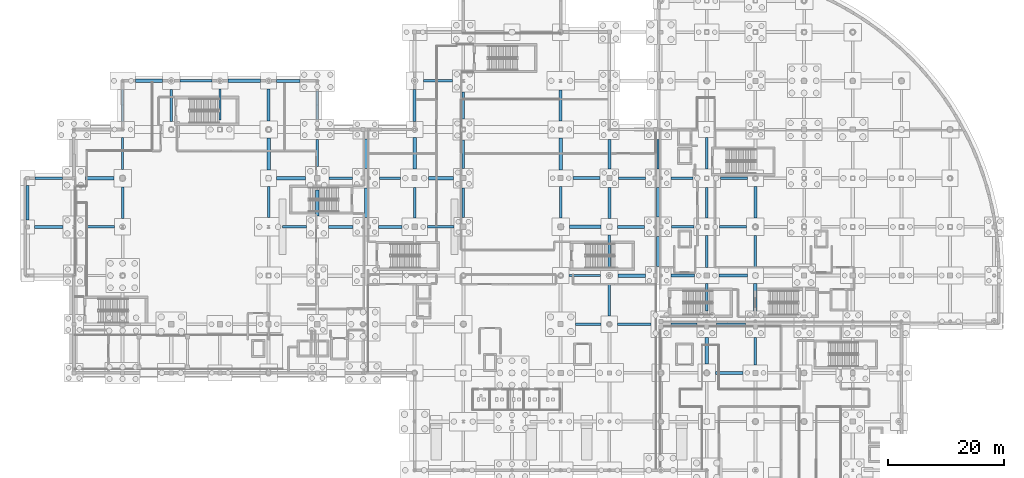
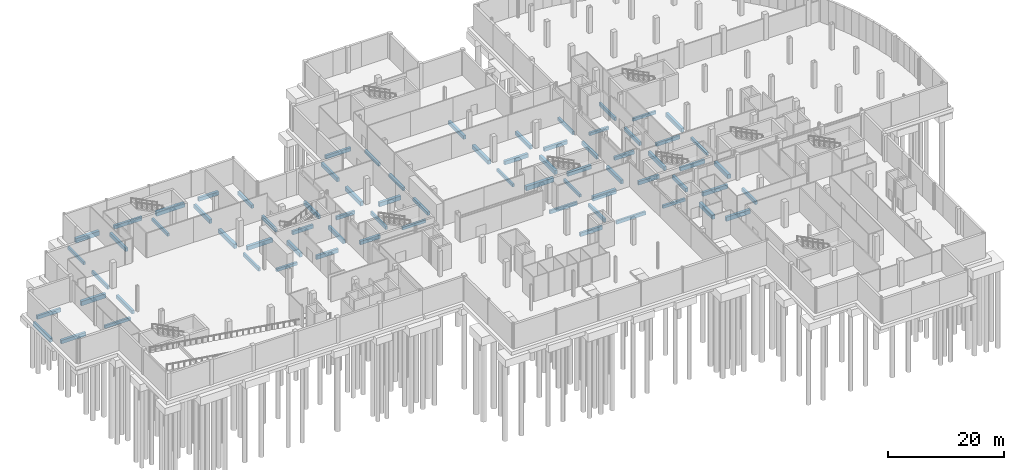
# One storey, part 22 of 49: 73 beams.
"""IFC4 building model written with IfcOpenShell, lengths in metres."""

from ifc_helpers import new_model, si_unit, direction, frame, origin, origin_2d, place, context, subcontext, project, spatial, rectangle, extrude, material, material_profile, profile_set, type_object, element, save


model = new_model("IFC4")

# Units and contexts
model_context = context("Model", 3, precision=1e-05, world=origin(), true_north=direction((0.0, 1.0)))
body_context = subcontext(model_context, "Body", "Model", "MODEL_VIEW")
ifc_project = project(units=[si_unit("LENGTHUNIT", "METRE"), si_unit("AREAUNIT", "SQUARE_METRE"), si_unit("VOLUMEUNIT", "CUBIC_METRE"), si_unit("PLANEANGLEUNIT", "RADIAN"), si_unit("MASSUNIT", "GRAM", prefix="KILO"), si_unit("THERMODYNAMICTEMPERATUREUNIT", "KELVIN")], contexts=[model_context])

# Site, building, storey
site_placement = place(None, origin())
site = spatial("IfcSite", under=ifc_project, at=site_placement, CompositionType="ELEMENT")
building_placement = place(site_placement, origin())
building = spatial("IfcBuilding", under=site, at=building_placement, Name="Lustrewick Department Store", CompositionType="ELEMENT")
storey_placement = place(building_placement, frame((0.0, 0.0, -5.39990234375)))
storey = spatial("IfcBuildingStorey", under=building, at=storey_placement, Name="B1", CompositionType="ELEMENT", Elevation=-5.39990234375)

# Beams
ifc_material = material(Name="Concrete C40", Category="concrete")
ifc_material_profile_1 = material_profile(ifc_material, rectangle(XDim=0.60009765625, YDim=0.89990234375, at=origin_2d()), Name="RC 600x900")
ifc_profile_set_1 = profile_set([ifc_material_profile_1], Name="Concrete C40")
beam_type_1 = type_object("IfcBeamType", Name="GB01", PredefinedType="BEAM", material=ifc_profile_set_1)
beam_1_placement = place(storey_placement, frame((10.39990234375, 75.60009765625, -1.150146484375), z_axis=(1.0, 0.0, 0.0), x_axis=(0.0, 1.0, 0.0)))
element("IfcBeam", 1, at=beam_1_placement, inside=storey, type_object=beam_type_1, Name="Ground Tie Beam GB01 0009", PredefinedType="BEAM", context=body_context, shape_type="SweptSolid", body=[
    extrude(rectangle(XDim=0.60009765625, YDim=0.89990234375, at=origin_2d()), origin(), (0.0, 0.0, 1.0), 4.900146484375),
])
beam_2_placement = place(storey_placement, frame((19.0, 92.39990234375, -1.150146484375), z_axis=(1.0, 0.0, 0.0), x_axis=(0.0, 1.0, 0.0)))
element("IfcBeam", 2, at=beam_2_placement, inside=storey, type_object=beam_type_1, Name="Ground Tie Beam GB01 0017", PredefinedType="BEAM", context=body_context, shape_type="SweptSolid", body=[
    extrude(rectangle(XDim=0.60009765625, YDim=0.89990234375, at=origin_2d()), origin(), (0.0, 0.0, 1.0), 4.699951171875),
])
beam_3_placement = place(storey_placement, frame((35.0, 92.39990234375, -1.150146484375), z_axis=(1.0, 0.0, 0.0), x_axis=(0.0, 1.0, 0.0)))
element("IfcBeam", 3, at=beam_3_placement, inside=storey, type_object=beam_type_1, Name="Ground Tie Beam GB01 0025", PredefinedType="BEAM", context=body_context, shape_type="SweptSolid", body=[
    extrude(rectangle(XDim=0.60009765625, YDim=0.89990234375, at=origin_2d()), origin(), (0.0, 0.0, 1.0), 5.60009765625),
])
beam_4_placement = place(storey_placement, frame((42.0, 77.0, -1.150146484375), z_axis=(0.0, 1.0, 0.0), x_axis=(-1.0, 0.0, 0.0)))
element("IfcBeam", 4, at=beam_4_placement, inside=storey, type_object=beam_type_1, Name="Ground Tie Beam GB01 0033", PredefinedType="BEAM", context=body_context, shape_type="SweptSolid", body=[
    extrude(rectangle(XDim=0.60009765625, YDim=0.89990234375, at=origin_2d()), origin(), (0.0, 0.0, 1.0), 5.5),
])
beam_5_placement = place(storey_placement, frame((67.199951171875, 77.199951171875, -1.150146484375), z_axis=(0.0, 1.0, 0.0), x_axis=(-1.0, 0.0, 0.0)))
element("IfcBeam", 5, at=beam_5_placement, inside=storey, type_object=beam_type_1, Name="Ground Tie Beam GB01 0065", PredefinedType="BEAM", context=body_context, shape_type="SweptSolid", body=[
    extrude(rectangle(XDim=0.60009765625, YDim=0.89990234375, at=origin_2d()), origin(), (0.0, 0.0, 1.0), 5.400146484375),
])
beam_6_placement = place(storey_placement, frame((93.89990234375, 67.199951171875, -1.150146484375), z_axis=(1.0, 0.0, 0.0), x_axis=(0.0, 1.0, 0.0)))
element("IfcBeam", 6, at=beam_6_placement, inside=storey, type_object=beam_type_1, Name="Ground Tie Beam GB01 0097", PredefinedType="BEAM", context=body_context, shape_type="SweptSolid", body=[
    extrude(rectangle(XDim=0.60009765625, YDim=0.89990234375, at=origin_2d()), origin(), (0.0, 0.0, 1.0), 5.5),
])
beam_7_placement = place(storey_placement, frame((102.300048828125, 58.800048828125, -1.150146484375), z_axis=(1.0, 0.0, 0.0), x_axis=(0.0, 1.0, 0.0)))
element("IfcBeam", 7, at=beam_7_placement, inside=storey, type_object=beam_type_1, Name="Ground Tie Beam GB01 0113", PredefinedType="BEAM", context=body_context, shape_type="SweptSolid", body=[
    extrude(rectangle(XDim=0.60009765625, YDim=0.89990234375, at=origin_2d()), origin(), (0.0, 0.0, 1.0), 4.699951171875),
])
beam_8_placement = place(storey_placement, frame((117.60009765625, 43.5, -1.150146484375), z_axis=(0.0, 1.0, 0.0), x_axis=(-1.0, 0.0, 0.0)))
element("IfcBeam", 8, at=beam_8_placement, inside=storey, type_object=beam_type_1, Name="Ground Tie Beam GB01 0145", PredefinedType="BEAM", context=body_context, shape_type="SweptSolid", body=[
    extrude(rectangle(XDim=0.60009765625, YDim=0.89990234375, at=origin_2d()), origin(), (0.0, 0.0, 1.0), 4.60009765625),
])
beam_9_placement = place(storey_placement, frame((126.0, 52.699951171875, -1.150146484375), z_axis=(0.0, 1.0, 0.0), x_axis=(-1.0, 0.0, 0.0)))
element("IfcBeam", 9, at=beam_9_placement, inside=storey, type_object=beam_type_1, Name="Ground Tie Beam GB01 0161", PredefinedType="BEAM", context=body_context, shape_type="SweptSolid", body=[
    extrude(rectangle(XDim=0.60009765625, YDim=0.89990234375, at=origin_2d()), origin(), (0.0, 0.0, 1.0), 4.699951171875),
])
ifc_material_profile_2 = material_profile(ifc_material, rectangle(XDim=0.550048828125, YDim=0.85009765625, at=origin_2d()), Name="RC 550x850")
ifc_profile_set_2 = profile_set([ifc_material_profile_2], Name="Concrete C40")
beam_type_2 = type_object("IfcBeamType", Name="GB02", PredefinedType="BEAM", material=ifc_profile_set_2)
beam_10_placement = place(storey_placement, frame((43.39990234375, 75.60009765625, -1.125), z_axis=(1.0, 0.0, 0.0), x_axis=(0.0, 1.0, 0.0)))
element("IfcBeam", 10, at=beam_10_placement, inside=storey, type_object=beam_type_2, Name="Ground Tie Beam GB02 0034", PredefinedType="BEAM", context=body_context, shape_type="SweptSolid", body=[
    extrude(rectangle(XDim=0.550048828125, YDim=0.85009765625, at=origin_2d()), origin(), (0.0, 0.0, 1.0), 5.0),
])
beam_11_placement = place(storey_placement, frame((50.39990234375, 69.10009765625, -1.125), z_axis=(0.0, 1.0, 0.0), x_axis=(-1.0, 0.0, 0.0)))
element("IfcBeam", 11, at=beam_11_placement, inside=storey, type_object=beam_type_2, Name="Ground Tie Beam GB02 0042", PredefinedType="BEAM", context=body_context, shape_type="SweptSolid", body=[
    extrude(rectangle(XDim=0.550048828125, YDim=0.85009765625, at=origin_2d()), origin(), (0.0, 0.0, 1.0), 4.5),
])
beam_12_placement = place(storey_placement, frame((69.60009765625, 75.60009765625, -1.125), z_axis=(1.0, 0.0, 0.0), x_axis=(0.0, 1.0, 0.0)))
element("IfcBeam", 12, at=beam_12_placement, inside=storey, type_object=beam_type_2, Name="Ground Tie Beam GB02 0066", PredefinedType="BEAM", context=body_context, shape_type="SweptSolid", body=[
    extrude(rectangle(XDim=0.550048828125, YDim=0.85009765625, at=origin_2d()), origin(), (0.0, 0.0, 1.0), 4.2998046875),
])
beam_13_placement = place(storey_placement, frame((92.39990234375, 77.0, -1.125), z_axis=(0.0, 1.0, 0.0), x_axis=(-1.0, 0.0, 0.0)))
element("IfcBeam", 13, at=beam_13_placement, inside=storey, type_object=beam_type_2, Name="Ground Tie Beam GB02 0098", PredefinedType="BEAM", context=body_context, shape_type="SweptSolid", body=[
    extrude(rectangle(XDim=0.550048828125, YDim=0.85009765625, at=origin_2d()), origin(), (0.0, 0.0, 1.0), 5.5),
])
beam_14_placement = place(storey_placement, frame((100.800048828125, 68.60009765625, -1.125), z_axis=(0.0, 1.0, 0.0), x_axis=(-1.0, 0.0, 0.0)))
element("IfcBeam", 14, at=beam_14_placement, inside=storey, type_object=beam_type_2, Name="Ground Tie Beam GB02 0114", PredefinedType="BEAM", context=body_context, shape_type="SweptSolid", body=[
    extrude(rectangle(XDim=0.550048828125, YDim=0.85009765625, at=origin_2d()), origin(), (0.0, 0.0, 1.0), 5.39990234375),
])
beam_15_placement = place(storey_placement, frame((119.10009765625, 42.0, -1.125), z_axis=(1.0, 0.0, 0.0), x_axis=(0.0, 1.0, 0.0)))
element("IfcBeam", 15, at=beam_15_placement, inside=storey, type_object=beam_type_2, Name="Ground Tie Beam GB02 0146", PredefinedType="BEAM", context=body_context, shape_type="SweptSolid", body=[
    extrude(rectangle(XDim=0.550048828125, YDim=0.85009765625, at=origin_2d()), origin(), (0.0, 0.0, 1.0), 4.7998046875),
])
beam_16_placement = place(storey_placement, frame((126.0, 68.699951171875, -1.125), z_axis=(0.0, 1.0, 0.0), x_axis=(-1.0, 0.0, 0.0)))
element("IfcBeam", 16, at=beam_16_placement, inside=storey, type_object=beam_type_2, Name="Ground Tie Beam GB02 0210", PredefinedType="BEAM", context=body_context, shape_type="SweptSolid", body=[
    extrude(rectangle(XDim=0.550048828125, YDim=0.85009765625, at=origin_2d()), origin(), (0.0, 0.0, 1.0), 5.5),
])
ifc_material_profile_3 = material_profile(ifc_material, rectangle(XDim=0.5, YDim=0.800048828125, at=origin_2d()), Name="RC 500x800")
ifc_profile_set_3 = profile_set([ifc_material_profile_3], Name="Concrete C40")
beam_type_3 = type_object("IfcBeamType", Name="GB03", PredefinedType="BEAM", material=ifc_profile_set_3)
beam_17_placement = place(storey_placement, frame((0.39990234375, 68.39990234375, -1.10009765625), z_axis=(0.0, 1.0, 0.0), x_axis=(-1.0, 0.0, 0.0)))
element("IfcBeam", 17, at=beam_17_placement, inside=storey, type_object=beam_type_3, Name="Ground Tie Beam GB03 0003", PredefinedType="BEAM", context=body_context, shape_type="SweptSolid", body=[
    extrude(rectangle(XDim=0.5, YDim=0.800048828125, at=origin_2d()), origin(), (0.0, 0.0, 1.0), 5.900146484375),
])
beam_18_placement = place(storey_placement, frame((42.0, 85.5, -1.10009765625), z_axis=(0.0, 1.0, 0.0), x_axis=(-1.0, 0.0, 0.0)))
element("IfcBeam", 18, at=beam_18_placement, inside=storey, type_object=beam_type_3, Name="Ground Tie Beam GB03 0035", PredefinedType="BEAM", context=body_context, shape_type="SweptSolid", body=[
    extrude(rectangle(XDim=0.5, YDim=0.800048828125, at=origin_2d()), origin(), (0.0, 0.0, 1.0), 5.5),
])
beam_19_placement = place(storey_placement, frame((52.300048828125, 67.199951171875, -1.10009765625), z_axis=(1.0, 0.0, 0.0), x_axis=(0.0, 1.0, 0.0)))
element("IfcBeam", 19, at=beam_19_placement, inside=storey, type_object=beam_type_3, Name="Ground Tie Beam GB03 0043", PredefinedType="BEAM", context=body_context, shape_type="SweptSolid", body=[
    extrude(rectangle(XDim=0.5, YDim=0.800048828125, at=origin_2d()), origin(), (0.0, 0.0, 1.0), 4.300048828125),
])
beam_20_placement = place(storey_placement, frame((58.800048828125, 68.800048828125, -1.10009765625), z_axis=(0.0, 1.0, 0.0), x_axis=(-1.0, 0.0, 0.0)))
element("IfcBeam", 20, at=beam_20_placement, inside=storey, type_object=beam_type_3, Name="Ground Tie Beam GB03 0051", PredefinedType="BEAM", context=body_context, shape_type="SweptSolid", body=[
    extrude(rectangle(XDim=0.5, YDim=0.800048828125, at=origin_2d()), origin(), (0.0, 0.0, 1.0), 5.099853515625),
])
beam_21_placement = place(storey_placement, frame((67.199951171875, 85.39990234375, -1.10009765625), z_axis=(0.0, 1.0, 0.0), x_axis=(-1.0, 0.0, 0.0)))
element("IfcBeam", 21, at=beam_21_placement, inside=storey, type_object=beam_type_3, Name="Ground Tie Beam GB03 0067", PredefinedType="BEAM", context=body_context, shape_type="SweptSolid", body=[
    extrude(rectangle(XDim=0.5, YDim=0.800048828125, at=origin_2d()), origin(), (0.0, 0.0, 1.0), 5.5),
])
for number, where, z_axis, x_axis, name in (
    (22, (94.5, 75.60009765625, -1.10009765625), (1.0, 0.0, 0.0), (0.0, 1.0, 0.0), "Ground Tie Beam GB03 0099"),
    (23, (102.199951171875, 67.199951171875, -1.10009765625), (1.0, 0.0, 0.0), (0.0, 1.0, 0.0), "Ground Tie Beam GB03 0115"),
):
    element("IfcBeam", number, at=place(storey_placement, frame(where, z_axis=z_axis, x_axis=x_axis)), inside=storey, type_object=beam_type_3, Name=name, PredefinedType="BEAM", context=body_context, shape_type="SweptSolid", body=[
        extrude(rectangle(XDim=0.5, YDim=0.800048828125, at=origin_2d()), origin(), (0.0, 0.0, 1.0), 4.699951171875),
    ])
beam_22_placement = place(storey_placement, frame((109.199951171875, 60.39990234375, -1.10009765625), z_axis=(0.0, 1.0, 0.0), x_axis=(-1.0, 0.0, 0.0)))
element("IfcBeam", 24, at=beam_22_placement, inside=storey, type_object=beam_type_3, Name="Ground Tie Beam GB03 0123", PredefinedType="BEAM", context=body_context, shape_type="SweptSolid", body=[
    extrude(rectangle(XDim=0.5, YDim=0.800048828125, at=origin_2d()), origin(), (0.0, 0.0, 1.0), 5.10009765625),
])
beam_23_placement = place(storey_placement, frame((119.300048828125, 50.39990234375, -1.10009765625), z_axis=(1.0, 0.0, 0.0), x_axis=(0.0, 1.0, 0.0)))
element("IfcBeam", 25, at=beam_23_placement, inside=storey, type_object=beam_type_3, Name="Ground Tie Beam GB03 0147", PredefinedType="BEAM", context=body_context, shape_type="SweptSolid", body=[
    extrude(rectangle(XDim=0.5, YDim=0.800048828125, at=origin_2d()), origin(), (0.0, 0.0, 1.0), 5.0),
])
beam_24_placement = place(storey_placement, frame((117.60009765625, 60.199951171875, -1.10009765625), z_axis=(0.0, 1.0, 0.0), x_axis=(-1.0, 0.0, 0.0)))
element("IfcBeam", 26, at=beam_24_placement, inside=storey, type_object=beam_type_3, Name="Ground Tie Beam GB03 0195", PredefinedType="BEAM", context=body_context, shape_type="SweptSolid", body=[
    extrude(rectangle(XDim=0.5, YDim=0.800048828125, at=origin_2d()), origin(), (0.0, 0.0, 1.0), 5.5),
])
ifc_material_profile_4 = material_profile(ifc_material, rectangle(XDim=0.5, YDim=0.75, at=origin_2d()), Name="RC 500x750")
ifc_profile_set_4 = profile_set([ifc_material_profile_4], Name="Concrete C40")
beam_type_4 = type_object("IfcBeamType", Name="GB04", PredefinedType="BEAM", material=ifc_profile_set_4)
beam_25_placement = place(storey_placement, frame((1.60009765625, 67.199951171875, -1.0751953125), z_axis=(1.0, 0.0, 0.0), x_axis=(0.0, 1.0, 0.0)))
element("IfcBeam", 27, at=beam_25_placement, inside=storey, type_object=beam_type_4, Name="Ground Tie Beam GB04 0004", PredefinedType="BEAM", context=body_context, shape_type="SweptSolid", body=[
    extrude(rectangle(XDim=0.5, YDim=0.75, at=origin_2d()), origin(), (0.0, 0.0, 1.0), 4.89990234375),
])
beam_26_placement = place(storey_placement, frame((25.199951171875, 85.39990234375, -1.0751953125), z_axis=(0.0, 1.0, 0.0), x_axis=(-1.0, 0.0, 0.0)))
element("IfcBeam", 28, at=beam_26_placement, inside=storey, type_object=beam_type_4, Name="Ground Tie Beam GB04 0020", PredefinedType="BEAM", context=body_context, shape_type="SweptSolid", body=[
    extrude(rectangle(XDim=0.5, YDim=0.75, at=origin_2d()), origin(), (0.0, 0.0, 1.0), 5.5),
])
beam_27_placement = place(storey_placement, frame((43.39990234375, 92.39990234375, -1.0751953125), z_axis=(1.0, 0.0, 0.0), x_axis=(0.0, 1.0, 0.0)))
element("IfcBeam", 29, at=beam_27_placement, inside=storey, type_object=beam_type_4, Name="Ground Tie Beam GB04 0036", PredefinedType="BEAM", context=body_context, shape_type="SweptSolid", body=[
    extrude(rectangle(XDim=0.5, YDim=0.75, at=origin_2d()), origin(), (0.0, 0.0, 1.0), 4.0),
])
beam_28_placement = place(storey_placement, frame((50.39990234375, 77.60009765625, -1.0751953125), z_axis=(0.0, 1.0, 0.0), x_axis=(-1.0, 0.0, 0.0)))
element("IfcBeam", 30, at=beam_28_placement, inside=storey, type_object=beam_type_4, Name="Ground Tie Beam GB04 0044", PredefinedType="BEAM", context=body_context, shape_type="SweptSolid", body=[
    extrude(rectangle(XDim=0.5, YDim=0.75, at=origin_2d()), origin(), (0.0, 0.0, 1.0), 4.699951171875),
])
beam_29_placement = place(storey_placement, frame((61.0, 67.199951171875, -1.0751953125), z_axis=(1.0, 0.0, 0.0), x_axis=(0.0, 1.0, 0.0)))
element("IfcBeam", 31, at=beam_29_placement, inside=storey, type_object=beam_type_4, Name="Ground Tie Beam GB04 0052", PredefinedType="BEAM", context=body_context, shape_type="SweptSolid", body=[
    extrude(rectangle(XDim=0.5, YDim=0.75, at=origin_2d()), origin(), (0.0, 0.0, 1.0), 4.0),
])
beam_30_placement = place(storey_placement, frame((92.39990234375, 85.5, -1.0751953125), z_axis=(0.0, 1.0, 0.0), x_axis=(-1.0, 0.0, 0.0)))
element("IfcBeam", 32, at=beam_30_placement, inside=storey, type_object=beam_type_4, Name="Ground Tie Beam GB04 0100", PredefinedType="BEAM", context=body_context, shape_type="SweptSolid", body=[
    extrude(rectangle(XDim=0.5, YDim=0.75, at=origin_2d()), origin(), (0.0, 0.0, 1.0), 5.300048828125),
])
beam_31_placement = place(storey_placement, frame((100.800048828125, 77.199951171875, -1.0751953125), z_axis=(0.0, 1.0, 0.0), x_axis=(-1.0, 0.0, 0.0)))
element("IfcBeam", 33, at=beam_31_placement, inside=storey, type_object=beam_type_4, Name="Ground Tie Beam GB04 0116", PredefinedType="BEAM", context=body_context, shape_type="SweptSolid", body=[
    extrude(rectangle(XDim=0.5, YDim=0.75, at=origin_2d()), origin(), (0.0, 0.0, 1.0), 5.10009765625),
])
beam_32_placement = place(storey_placement, frame((111.39990234375, 58.800048828125, -1.0751953125), z_axis=(1.0, 0.0, 0.0), x_axis=(0.0, 1.0, 0.0)))
element("IfcBeam", 34, at=beam_32_placement, inside=storey, type_object=beam_type_4, Name="Ground Tie Beam GB04 0124", PredefinedType="BEAM", context=body_context, shape_type="SweptSolid", body=[
    extrude(rectangle(XDim=0.5, YDim=0.75, at=origin_2d()), origin(), (0.0, 0.0, 1.0), 4.10009765625),
])
beam_33_placement = place(storey_placement, frame((117.60009765625, 52.699951171875, -1.0751953125), z_axis=(0.0, 1.0, 0.0), x_axis=(-1.0, 0.0, 0.0)))
element("IfcBeam", 35, at=beam_33_placement, inside=storey, type_object=beam_type_4, Name="Ground Tie Beam GB04 0148", PredefinedType="BEAM", context=body_context, shape_type="SweptSolid", body=[
    extrude(rectangle(XDim=0.5, YDim=0.75, at=origin_2d()), origin(), (0.0, 0.0, 1.0), 4.699951171875),
])
beam_34_placement = place(storey_placement, frame((119.699951171875, 58.800048828125, -1.0751953125), z_axis=(1.0, 0.0, 0.0), x_axis=(0.0, 1.0, 0.0)))
element("IfcBeam", 36, at=beam_34_placement, inside=storey, type_object=beam_type_4, Name="Ground Tie Beam GB04 0196", PredefinedType="BEAM", context=body_context, shape_type="SweptSolid", body=[
    extrude(rectangle(XDim=0.5, YDim=0.75, at=origin_2d()), origin(), (0.0, 0.0, 1.0), 4.900146484375),
])
ifc_material_profile_5 = material_profile(ifc_material, rectangle(XDim=0.449951171875, YDim=0.75, at=origin_2d()), Name="RC 450x750")
ifc_profile_set_5 = profile_set([ifc_material_profile_5], Name="Concrete C40")
beam_type_5 = type_object("IfcBeamType", Name="GB05", PredefinedType="BEAM", material=ifc_profile_set_5)
beam_35_placement = place(storey_placement, frame((1.699951171875, 75.60009765625, -1.0751953125), z_axis=(1.0, 0.0, 0.0), x_axis=(0.0, 1.0, 0.0)))
element("IfcBeam", 37, at=beam_35_placement, inside=storey, type_object=beam_type_5, Name="Ground Tie Beam GB05 0005", PredefinedType="BEAM", context=body_context, shape_type="SweptSolid", body=[
    extrude(rectangle(XDim=0.449951171875, YDim=0.75, at=origin_2d()), origin(), (0.0, 0.0, 1.0), 4.699951171875),
])
beam_36_placement = place(storey_placement, frame((26.699951171875, 92.39990234375, -1.0751953125), z_axis=(1.0, 0.0, 0.0), x_axis=(0.0, 1.0, 0.0)))
element("IfcBeam", 38, at=beam_36_placement, inside=storey, type_object=beam_type_5, Name="Ground Tie Beam GB05 0021", PredefinedType="BEAM", context=body_context, shape_type="SweptSolid", body=[
    extrude(rectangle(XDim=0.449951171875, YDim=0.75, at=origin_2d()), origin(), (0.0, 0.0, 1.0), 5.5),
])
beam_37_placement = place(storey_placement, frame((52.39990234375, 75.60009765625, -1.0751953125), z_axis=(1.0, 0.0, 0.0), x_axis=(0.0, 1.0, 0.0)))
element("IfcBeam", 39, at=beam_37_placement, inside=storey, type_object=beam_type_5, Name="Ground Tie Beam GB05 0045", PredefinedType="BEAM", context=body_context, shape_type="SweptSolid", body=[
    extrude(rectangle(XDim=0.449951171875, YDim=0.75, at=origin_2d()), origin(), (0.0, 0.0, 1.0), 4.10009765625),
])
beam_38_placement = place(storey_placement, frame((58.800048828125, 77.300048828125, -1.0751953125), z_axis=(0.0, 1.0, 0.0), x_axis=(-1.0, 0.0, 0.0)))
element("IfcBeam", 40, at=beam_38_placement, inside=storey, type_object=beam_type_5, Name="Ground Tie Beam GB05 0053", PredefinedType="BEAM", context=body_context, shape_type="SweptSolid", body=[
    extrude(rectangle(XDim=0.449951171875, YDim=0.75, at=origin_2d()), origin(), (0.0, 0.0, 1.0), 5.099853515625),
])
beam_39_placement = place(storey_placement, frame((68.699951171875, 92.39990234375, -1.0751953125), z_axis=(1.0, 0.0, 0.0), x_axis=(0.0, 1.0, 0.0)))
element("IfcBeam", 41, at=beam_39_placement, inside=storey, type_object=beam_type_5, Name="Ground Tie Beam GB05 0069", PredefinedType="BEAM", context=body_context, shape_type="SweptSolid", body=[
    extrude(rectangle(XDim=0.449951171875, YDim=0.75, at=origin_2d()), origin(), (0.0, 0.0, 1.0), 5.0),
])
beam_40_placement = place(storey_placement, frame((75.60009765625, 68.800048828125, -1.0751953125), z_axis=(0.0, 1.0, 0.0), x_axis=(-1.0, 0.0, 0.0)))
element("IfcBeam", 42, at=beam_40_placement, inside=storey, type_object=beam_type_5, Name="Ground Tie Beam GB05 0077", PredefinedType="BEAM", context=body_context, shape_type="SweptSolid", body=[
    extrude(rectangle(XDim=0.449951171875, YDim=0.75, at=origin_2d()), origin(), (0.0, 0.0, 1.0), 5.099853515625),
])
beam_41_placement = place(storey_placement, frame((95.0, 50.39990234375, -1.0751953125), z_axis=(1.0, 0.0, 0.0), x_axis=(0.0, 1.0, 0.0)))
element("IfcBeam", 43, at=beam_41_placement, inside=storey, type_object=beam_type_5, Name="Ground Tie Beam GB05 0093", PredefinedType="BEAM", context=body_context, shape_type="SweptSolid", body=[
    extrude(rectangle(XDim=0.449951171875, YDim=0.75, at=origin_2d()), origin(), (0.0, 0.0, 1.0), 4.39990234375),
])
beam_42_placement = place(storey_placement, frame((102.39990234375, 75.60009765625, -1.0751953125), z_axis=(1.0, 0.0, 0.0), x_axis=(0.0, 1.0, 0.0)))
element("IfcBeam", 44, at=beam_42_placement, inside=storey, type_object=beam_type_5, Name="Ground Tie Beam GB05 0117", PredefinedType="BEAM", context=body_context, shape_type="SweptSolid", body=[
    extrude(rectangle(XDim=0.449951171875, YDim=0.75, at=origin_2d()), origin(), (0.0, 0.0, 1.0), 4.60009765625),
])
beam_43_placement = place(storey_placement, frame((109.199951171875, 68.89990234375, -1.0751953125), z_axis=(0.0, 1.0, 0.0), x_axis=(-1.0, 0.0, 0.0)))
element("IfcBeam", 45, at=beam_43_placement, inside=storey, type_object=beam_type_5, Name="Ground Tie Beam GB05 0125", PredefinedType="BEAM", context=body_context, shape_type="SweptSolid", body=[
    extrude(rectangle(XDim=0.449951171875, YDim=0.75, at=origin_2d()), origin(), (0.0, 0.0, 1.0), 5.10009765625),
])
beam_44_placement = place(storey_placement, frame((117.60009765625, 68.699951171875, -1.0751953125), z_axis=(0.0, 1.0, 0.0), x_axis=(-1.0, 0.0, 0.0)))
element("IfcBeam", 46, at=beam_44_placement, inside=storey, type_object=beam_type_5, Name="Ground Tie Beam GB05 0197", PredefinedType="BEAM", context=body_context, shape_type="SweptSolid", body=[
    extrude(rectangle(XDim=0.449951171875, YDim=0.75, at=origin_2d()), origin(), (0.0, 0.0, 1.0), 5.300048828125),
])
ifc_material_profile_6 = material_profile(ifc_material, rectangle(XDim=0.449951171875, YDim=0.699951171875, at=origin_2d()), Name="RC 450x700")
ifc_profile_set_6 = profile_set([ifc_material_profile_6], Name="Concrete C40")
beam_type_6 = type_object("IfcBeamType", Name="GB06", PredefinedType="BEAM", material=ifc_profile_set_6)
beam_45_placement = place(storey_placement, frame((16.800048828125, 68.60009765625, -1.050048828125), z_axis=(0.0, 1.0, 0.0), x_axis=(-1.0, 0.0, 0.0)))
element("IfcBeam", 47, at=beam_45_placement, inside=storey, type_object=beam_type_6, Name="Ground Tie Beam GB06 0014", PredefinedType="BEAM", context=body_context, shape_type="SweptSolid", body=[
    extrude(rectangle(XDim=0.449951171875, YDim=0.699951171875, at=origin_2d()), origin(), (0.0, 0.0, 1.0), 5.5),
])
beam_46_placement = place(storey_placement, frame((50.39990234375, 85.699951171875, -1.050048828125), z_axis=(0.0, 1.0, 0.0), x_axis=(-1.0, 0.0, 0.0)))
element("IfcBeam", 48, at=beam_46_placement, inside=storey, type_object=beam_type_6, Name="Ground Tie Beam GB06 0046", PredefinedType="BEAM", context=body_context, shape_type="SweptSolid", body=[
    extrude(rectangle(XDim=0.449951171875, YDim=0.699951171875, at=origin_2d()), origin(), (0.0, 0.0, 1.0), 4.900146484375),
])
beam_47_placement = place(storey_placement, frame((61.10009765625, 75.60009765625, -1.050048828125), z_axis=(1.0, 0.0, 0.0), x_axis=(0.0, 1.0, 0.0)))
element("IfcBeam", 49, at=beam_47_placement, inside=storey, type_object=beam_type_6, Name="Ground Tie Beam GB06 0054", PredefinedType="BEAM", context=body_context, shape_type="SweptSolid", body=[
    extrude(rectangle(XDim=0.449951171875, YDim=0.699951171875, at=origin_2d()), origin(), (0.0, 0.0, 1.0), 3.699951171875),
])
beam_48_placement = place(storey_placement, frame((75.60009765625, 77.300048828125, -1.050048828125), z_axis=(0.0, 1.0, 0.0), x_axis=(-1.0, 0.0, 0.0)))
element("IfcBeam", 50, at=beam_48_placement, inside=storey, type_object=beam_type_6, Name="Ground Tie Beam GB06 0078", PredefinedType="BEAM", context=body_context, shape_type="SweptSolid", body=[
    extrude(rectangle(XDim=0.449951171875, YDim=0.699951171875, at=origin_2d()), origin(), (0.0, 0.0, 1.0), 4.89990234375),
])
beam_49_placement = place(storey_placement, frame((100.800048828125, 51.800048828125, -1.050048828125), z_axis=(0.0, 1.0, 0.0), x_axis=(-1.0, 0.0, 0.0)))
element("IfcBeam", 51, at=beam_49_placement, inside=storey, type_object=beam_type_6, Name="Ground Tie Beam GB06 0110", PredefinedType="BEAM", context=body_context, shape_type="SweptSolid", body=[
    extrude(rectangle(XDim=0.449951171875, YDim=0.699951171875, at=origin_2d()), origin(), (0.0, 0.0, 1.0), 5.5),
])
beam_50_placement = place(storey_placement, frame((111.5, 67.199951171875, -1.050048828125), z_axis=(1.0, 0.0, 0.0), x_axis=(0.0, 1.0, 0.0)))
element("IfcBeam", 52, at=beam_50_placement, inside=storey, type_object=beam_type_6, Name="Ground Tie Beam GB06 0126", PredefinedType="BEAM", context=body_context, shape_type="SweptSolid", body=[
    extrude(rectangle(XDim=0.449951171875, YDim=0.699951171875, at=origin_2d()), origin(), (0.0, 0.0, 1.0), 3.89990234375),
])
beam_51_placement = place(storey_placement, frame((126.0, 43.39990234375, -1.050048828125), z_axis=(0.0, 1.0, 0.0), x_axis=(-1.0, 0.0, 0.0)))
element("IfcBeam", 53, at=beam_51_placement, inside=storey, type_object=beam_type_6, Name="Ground Tie Beam GB06 0158", PredefinedType="BEAM", context=body_context, shape_type="SweptSolid", body=[
    extrude(rectangle(XDim=0.449951171875, YDim=0.699951171875, at=origin_2d()), origin(), (0.0, 0.0, 1.0), 4.7001953125),
])
beam_52_placement = place(storey_placement, frame((119.800048828125, 67.199951171875, -1.050048828125), z_axis=(1.0, 0.0, 0.0), x_axis=(0.0, 1.0, 0.0)))
element("IfcBeam", 54, at=beam_52_placement, inside=storey, type_object=beam_type_6, Name="Ground Tie Beam GB06 0198", PredefinedType="BEAM", context=body_context, shape_type="SweptSolid", body=[
    extrude(rectangle(XDim=0.449951171875, YDim=0.699951171875, at=origin_2d()), origin(), (0.0, 0.0, 1.0), 4.699951171875),
])
ifc_material_profile_7 = material_profile(ifc_material, rectangle(XDim=0.39990234375, YDim=0.699951171875, at=origin_2d()), Name="RC 400x700")
ifc_profile_set_7 = profile_set([ifc_material_profile_7], Name="Concrete C40")
beam_type_7 = type_object("IfcBeamType", Name="GB07", PredefinedType="BEAM", material=ifc_profile_set_7)
beam_53_placement = place(storey_placement, frame((16.800048828125, 77.10009765625, -1.050048828125), z_axis=(0.0, 1.0, 0.0), x_axis=(-1.0, 0.0, 0.0)))
element("IfcBeam", 55, at=beam_53_placement, inside=storey, type_object=beam_type_7, Name="Ground Tie Beam GB07 0015", PredefinedType="BEAM", context=body_context, shape_type="SweptSolid", body=[
    extrude(rectangle(XDim=0.39990234375, YDim=0.699951171875, at=origin_2d()), origin(), (0.0, 0.0, 1.0), 5.5),
])
beam_54_placement = place(storey_placement, frame((42.0, 68.800048828125, -1.050048828125), z_axis=(0.0, 1.0, 0.0), x_axis=(-1.0, 0.0, 0.0)))
element("IfcBeam", 56, at=beam_54_placement, inside=storey, type_object=beam_type_7, Name="Ground Tie Beam GB07 0031", PredefinedType="BEAM", context=body_context, shape_type="SweptSolid", body=[
    extrude(rectangle(XDim=0.39990234375, YDim=0.699951171875, at=origin_2d()), origin(), (0.0, 0.0, 1.0), 5.39990234375),
])
beam_55_placement = place(storey_placement, frame((67.199951171875, 68.699951171875, -1.050048828125), z_axis=(0.0, 1.0, 0.0), x_axis=(-1.0, 0.0, 0.0)))
element("IfcBeam", 57, at=beam_55_placement, inside=storey, type_object=beam_type_7, Name="Ground Tie Beam GB07 0063", PredefinedType="BEAM", context=body_context, shape_type="SweptSolid", body=[
    extrude(rectangle(XDim=0.39990234375, YDim=0.699951171875, at=origin_2d()), origin(), (0.0, 0.0, 1.0), 5.300048828125),
])
beam_56_placement = place(storey_placement, frame((75.60009765625, 85.800048828125, -1.050048828125), z_axis=(0.0, 1.0, 0.0), x_axis=(-1.0, 0.0, 0.0)))
element("IfcBeam", 58, at=beam_56_placement, inside=storey, type_object=beam_type_7, Name="Ground Tie Beam GB07 0079", PredefinedType="BEAM", context=body_context, shape_type="SweptSolid", body=[
    extrude(rectangle(XDim=0.39990234375, YDim=0.699951171875, at=origin_2d()), origin(), (0.0, 0.0, 1.0), 4.699951171875),
])
beam_57_placement = place(storey_placement, frame((93.800048828125, 58.800048828125, -1.050048828125), z_axis=(1.0, 0.0, 0.0), x_axis=(0.0, 1.0, 0.0)))
element("IfcBeam", 59, at=beam_57_placement, inside=storey, type_object=beam_type_7, Name="Ground Tie Beam GB07 0095", PredefinedType="BEAM", context=body_context, shape_type="SweptSolid", body=[
    extrude(rectangle(XDim=0.39990234375, YDim=0.699951171875, at=origin_2d()), origin(), (0.0, 0.0, 1.0), 5.5),
])
beam_58_placement = place(storey_placement, frame((102.199951171875, 50.39990234375, -1.050048828125), z_axis=(1.0, 0.0, 0.0), x_axis=(0.0, 1.0, 0.0)))
element("IfcBeam", 60, at=beam_58_placement, inside=storey, type_object=beam_type_7, Name="Ground Tie Beam GB07 0111", PredefinedType="BEAM", context=body_context, shape_type="SweptSolid", body=[
    extrude(rectangle(XDim=0.39990234375, YDim=0.699951171875, at=origin_2d()), origin(), (0.0, 0.0, 1.0), 5.800048828125),
])
beam_59_placement = place(storey_placement, frame((109.199951171875, 77.199951171875, -1.050048828125), z_axis=(0.0, 1.0, 0.0), x_axis=(-1.0, 0.0, 0.0)))
element("IfcBeam", 61, at=beam_59_placement, inside=storey, type_object=beam_type_7, Name="Ground Tie Beam GB07 0127", PredefinedType="BEAM", context=body_context, shape_type="SweptSolid", body=[
    extrude(rectangle(XDim=0.39990234375, YDim=0.699951171875, at=origin_2d()), origin(), (0.0, 0.0, 1.0), 5.10009765625),
])
beam_60_placement = place(storey_placement, frame((117.60009765625, 77.199951171875, -1.050048828125), z_axis=(0.0, 1.0, 0.0), x_axis=(-1.0, 0.0, 0.0)))
element("IfcBeam", 62, at=beam_60_placement, inside=storey, type_object=beam_type_7, Name="Ground Tie Beam GB07 0199", PredefinedType="BEAM", context=body_context, shape_type="SweptSolid", body=[
    extrude(rectangle(XDim=0.39990234375, YDim=0.699951171875, at=origin_2d()), origin(), (0.0, 0.0, 1.0), 5.400146484375),
])
ifc_material_profile_8 = material_profile(ifc_material, rectangle(XDim=0.39990234375, YDim=0.60009765625, at=origin_2d()), Name="RC 400x600")
ifc_profile_set_8 = profile_set([ifc_material_profile_8], Name="Concrete C40")
beam_type_8 = type_object("IfcBeamType", Name="GB08", PredefinedType="BEAM", material=ifc_profile_set_8)
beam_61_placement = place(storey_placement, frame((10.300048828125, 67.199951171875, -1.0), z_axis=(1.0, 0.0, 0.0), x_axis=(0.0, 1.0, 0.0)))
element("IfcBeam", 63, at=beam_61_placement, inside=storey, type_object=beam_type_8, Name="Ground Tie Beam GB08 0008", PredefinedType="BEAM", context=body_context, shape_type="SweptSolid", body=[
    extrude(rectangle(XDim=0.39990234375, YDim=0.60009765625, at=origin_2d()), origin(), (0.0, 0.0, 1.0), 5.099853515625),
])
beam_62_placement = place(storey_placement, frame((16.800048828125, 85.39990234375, -1.0), z_axis=(0.0, 1.0, 0.0), x_axis=(-1.0, 0.0, 0.0)))
element("IfcBeam", 64, at=beam_62_placement, inside=storey, type_object=beam_type_8, Name="Ground Tie Beam GB08 0016", PredefinedType="BEAM", context=body_context, shape_type="SweptSolid", body=[
    extrude(rectangle(XDim=0.39990234375, YDim=0.60009765625, at=origin_2d()), origin(), (0.0, 0.0, 1.0), 5.5),
])
beam_63_placement = place(storey_placement, frame((33.60009765625, 85.60009765625, -1.0), z_axis=(0.0, 1.0, 0.0), x_axis=(-1.0, 0.0, 0.0)))
element("IfcBeam", 65, at=beam_63_placement, inside=storey, type_object=beam_type_8, Name="Ground Tie Beam GB08 0024", PredefinedType="BEAM", context=body_context, shape_type="SweptSolid", body=[
    extrude(rectangle(XDim=0.39990234375, YDim=0.60009765625, at=origin_2d()), origin(), (0.0, 0.0, 1.0), 5.39990234375),
])
beam_64_placement = place(storey_placement, frame((44.39990234375, 67.199951171875, -1.0), z_axis=(1.0, 0.0, 0.0), x_axis=(0.0, 1.0, 0.0)))
element("IfcBeam", 66, at=beam_64_placement, inside=storey, type_object=beam_type_8, Name="Ground Tie Beam GB08 0032", PredefinedType="BEAM", context=body_context, shape_type="SweptSolid", body=[
    extrude(rectangle(XDim=0.39990234375, YDim=0.60009765625, at=origin_2d()), origin(), (0.0, 0.0, 1.0), 4.10009765625),
])
beam_65_placement = place(storey_placement, frame((69.39990234375, 67.199951171875, -1.0), z_axis=(1.0, 0.0, 0.0), x_axis=(0.0, 1.0, 0.0)))
element("IfcBeam", 67, at=beam_65_placement, inside=storey, type_object=beam_type_8, Name="Ground Tie Beam GB08 0064", PredefinedType="BEAM", context=body_context, shape_type="SweptSolid", body=[
    extrude(rectangle(XDim=0.39990234375, YDim=0.60009765625, at=origin_2d()), origin(), (0.0, 0.0, 1.0), 4.60009765625),
])
for number, where, z_axis, x_axis, name in (
    (68, (92.39990234375, 68.699951171875, -1.0), (0.0, 1.0, 0.0), (-1.0, 0.0, 0.0), "Ground Tie Beam GB08 0096"),
    (69, (100.800048828125, 60.300048828125, -1.0), (0.0, 1.0, 0.0), (-1.0, 0.0, 0.0), "Ground Tie Beam GB08 0112"),
):
    element("IfcBeam", number, at=place(storey_placement, frame(where, z_axis=z_axis, x_axis=x_axis)), inside=storey, type_object=beam_type_8, Name=name, PredefinedType="BEAM", context=body_context, shape_type="SweptSolid", body=[
        extrude(rectangle(XDim=0.39990234375, YDim=0.60009765625, at=origin_2d()), origin(), (0.0, 0.0, 1.0), 5.5),
    ])
beam_66_placement = place(storey_placement, frame((111.39990234375, 75.60009765625, -1.0), z_axis=(1.0, 0.0, 0.0), x_axis=(0.0, 1.0, 0.0)))
element("IfcBeam", 70, at=beam_66_placement, inside=storey, type_object=beam_type_8, Name="Ground Tie Beam GB08 0128", PredefinedType="BEAM", context=body_context, shape_type="SweptSolid", body=[
    extrude(rectangle(XDim=0.39990234375, YDim=0.60009765625, at=origin_2d()), origin(), (0.0, 0.0, 1.0), 3.800048828125),
])
beam_67_placement = place(storey_placement, frame((111.39990234375, 50.39990234375, -1.0), z_axis=(1.0, 0.0, 0.0), x_axis=(0.0, 1.0, 0.0)))
element("IfcBeam", 71, at=beam_67_placement, inside=storey, type_object=beam_type_8, Name="Ground Tie Beam GB08 0136", PredefinedType="BEAM", context=body_context, shape_type="SweptSolid", body=[
    extrude(rectangle(XDim=0.39990234375, YDim=0.60009765625, at=origin_2d()), origin(), (0.0, 0.0, 1.0), 4.5),
])
beam_68_placement = place(storey_placement, frame((120.0, 75.60009765625, -1.0), z_axis=(1.0, 0.0, 0.0), x_axis=(0.0, 1.0, 0.0)))
element("IfcBeam", 72, at=beam_68_placement, inside=storey, type_object=beam_type_8, Name="Ground Tie Beam GB08 0200", PredefinedType="BEAM", context=body_context, shape_type="SweptSolid", body=[
    extrude(rectangle(XDim=0.39990234375, YDim=0.60009765625, at=origin_2d()), origin(), (0.0, 0.0, 1.0), 4.60009765625),
])
beam_69_placement = place(storey_placement, frame((126.0, 60.199951171875, -1.0), z_axis=(0.0, 1.0, 0.0), x_axis=(-1.0, 0.0, 0.0)))
element("IfcBeam", 73, at=beam_69_placement, inside=storey, type_object=beam_type_8, Name="Ground Tie Beam GB08 0208", PredefinedType="BEAM", context=body_context, shape_type="SweptSolid", body=[
    extrude(rectangle(XDim=0.39990234375, YDim=0.60009765625, at=origin_2d()), origin(), (0.0, 0.0, 1.0), 5.5),
])

save(model, "model.ifc")
